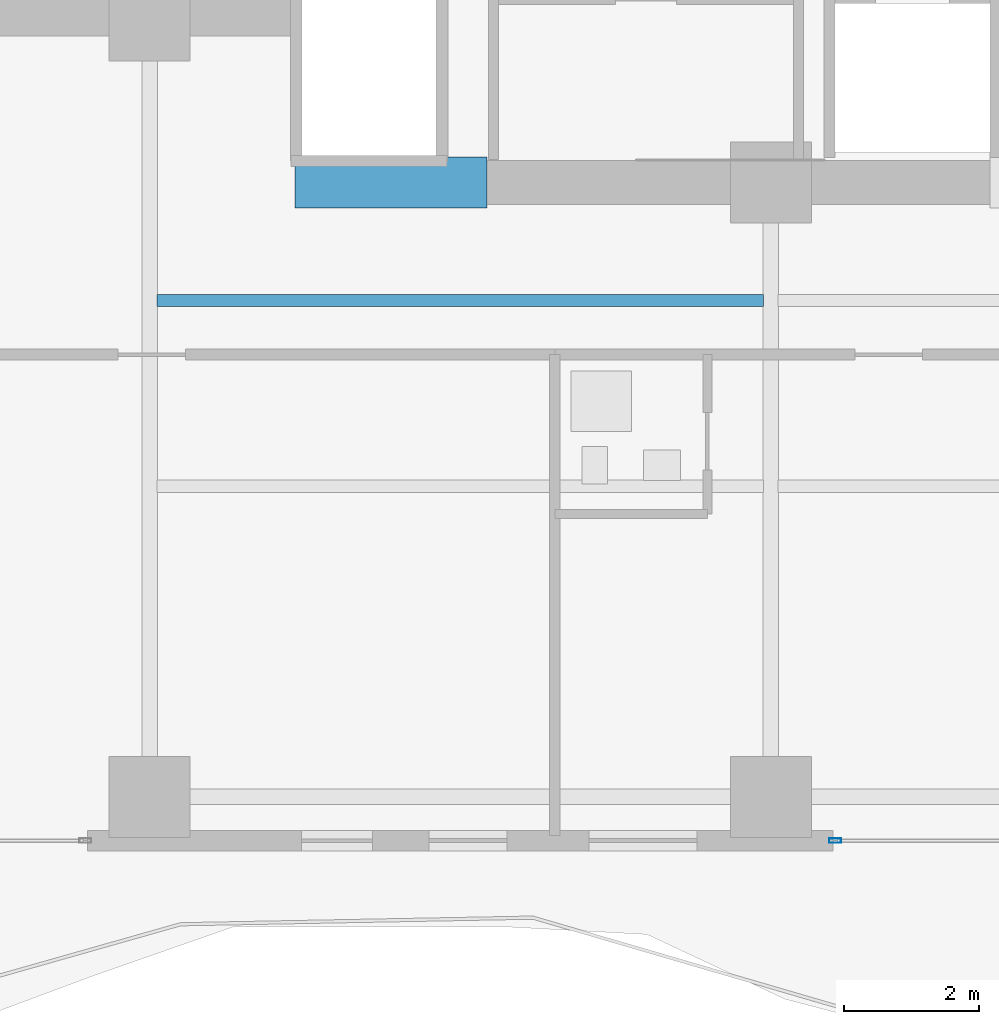
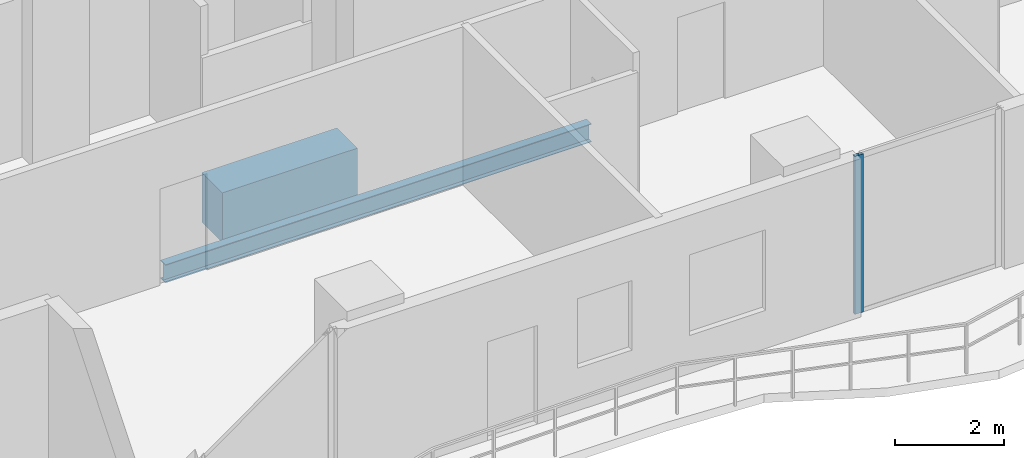
# One storey, part 5 of 32: 2 beams, 1 member, 1 element without a shape of its own.
"""IFC4 building model written with IfcOpenShell, lengths in metres."""

from ifc_helpers import new_model, si_unit, direction, frame, origin, origin_2d, place, context, subcontext, project, spatial, rectangle, hollow_rectangle, i_section, extrude, material, layer, layer_set, material_profile, profile_set, type_object, element, aggregate, save


model = new_model("IFC4")

# Units and contexts
model_context = context("Model", 3, precision=1e-05, world=origin(), true_north=direction((0.0, 1.0)))
body_context = subcontext(model_context, "Body", "Model", "MODEL_VIEW")
ifc_project = project(units=[si_unit("LENGTHUNIT", "METRE"), si_unit("AREAUNIT", "SQUARE_METRE"), si_unit("VOLUMEUNIT", "CUBIC_METRE"), si_unit("PLANEANGLEUNIT", "RADIAN"), si_unit("MASSUNIT", "GRAM", prefix="KILO")], contexts=[model_context])

# Site, building, storey
site_placement = place(None, origin())
site = spatial("IfcSite", under=ifc_project, at=site_placement, CompositionType="ELEMENT")
building_placement = place(site_placement, origin())
building = spatial("IfcBuilding", under=site, at=building_placement, Name="Zuhayl Quay Hotel", CompositionType="ELEMENT")
storey_placement = place(building_placement, frame((0.0, 0.0, 203.64990234375)))
storey = spatial("IfcBuildingStorey", under=building, at=storey_placement, Name="L51", CompositionType="ELEMENT", Elevation=203.64990234375)

# Beams
ifc_material_1 = material(Name="Concrete C60/75", Category="concrete")
ifc_material_profile_1 = material_profile(ifc_material_1, rectangle(XDim=0.75, YDim=1.10009765625, at=origin_2d()), Name="RC750X1100")
ifc_profile_set_1 = profile_set([ifc_material_profile_1], Name="Concrete C60/75")
beam_type_1 = type_object("IfcBeamType", Name="BM_CB2_RC750", PredefinedType="T_BEAM", material=ifc_profile_set_1)
beam_1_placement = place(storey_placement, frame((-11.64990234375, 2.14990234375, -0.77001953125), z_axis=(1.0, 0.0, 0.0), x_axis=(0.0, 1.0, 0.0)))
element("IfcBeam", 1, at=beam_1_placement, inside=storey, type_object=beam_type_1, Name="L51 Core Coupling Beam SW", PredefinedType="T_BEAM", context=body_context, shape_type="SweptSolid", body=[
    extrude(rectangle(XDim=0.75, YDim=1.10009765625, at=origin_2d()), origin(), (0.0, 0.0, 1.0), 2.849853515625),
])
ifc_material_2 = material(Name="Steel ASTM A992 Grade 50", Category="steel")
ifc_material_profile_2 = material_profile(ifc_material_2, i_section(OverallWidth=0.177978515625, OverallDepth=0.406005859375, WebThickness=0.0078125, FlangeThickness=0.0126953125, at=origin_2d()), Name="W16X40")
ifc_profile_set_2 = profile_set([ifc_material_profile_2], Name="Steel ASTM A992 Grade 50")
beam_type_2 = type_object("IfcBeamType", Name="BM_J2B_W16X40", PredefinedType="JOIST", material=ifc_profile_set_2)
beam_2_placement = place(storey_placement, frame((-13.694091796875, 0.39990234375, -0.4228515625), z_axis=(1.0, 0.0, 0.0), x_axis=(0.0, 1.0, 0.0)))
element("IfcBeam", 2, at=beam_2_placement, inside=storey, type_object=beam_type_2, Name="L51 Floor Beam FJ_L51_8_1", PredefinedType="JOIST", context=body_context, shape_type="SweptSolid", body=[
    extrude(i_section(OverallWidth=0.177978515625, OverallDepth=0.406005859375, WebThickness=0.0078125, FlangeThickness=0.0126953125, at=origin_2d()), origin(), (0.0, 0.0, 1.0), 8.988037109375),
])

# Curtain wall, member
ifc_material_3 = material(Name="Anodised Aluminium 6063-T6", Category="aluminium")
ifc_layer = layer(ifc_material_3, 0.175048828125, Name="Anodised Aluminium 6063-T6", Category="aluminium")
ifc_layer_set = layer_set([ifc_layer], Name="Anodised Aluminium 6063-T6")
curtain_wall_type = type_object("IfcCurtainWallType", Name="CW_SYS_Z3", PredefinedType="USERDEFINED", material=ifc_layer_set)
curtain_wall_placement = place(storey_placement, origin())
curtain_wall = element("IfcCurtainWall", 3, at=curtain_wall_placement, inside=storey, type_object=curtain_wall_type, Name="L51 Curtain Wall ENV_L51_S_CW4", ObjectType="UNITISED CURTAIN WALL", PredefinedType="USERDEFINED")
ifc_material_4 = material(Name="Black-anodised aluminium 6063-T6", Category="aluminium")
ifc_material_profile_3 = material_profile(ifc_material_4, hollow_rectangle(XDim=0.06494140625, YDim=0.179931640625, WallThickness=0.00341796875, at=origin_2d()), Name="ALU180X65")
ifc_profile_set_3 = profile_set([ifc_material_profile_3], Name="Black-anodised aluminium 6063-T6")
member_type = type_object("IfcMemberType", Name="MB_CW_MUL_180", PredefinedType="MULLION", material=ifc_profile_set_3)
member_placement = place(storey_placement, frame((-3.6474609375, -7.60009765625, 0.0), z_axis=(0.0, 0.0, 1.0), x_axis=(0.0, -1.0, 0.0)))
member = element("IfcMember", 4, at=member_placement, type_object=member_type, Name="CW-Z3 mullion 2", PredefinedType="MULLION", context=body_context, shape_type="SweptSolid", body=[
    extrude(hollow_rectangle(XDim=0.06494140625, YDim=0.179931640625, WallThickness=0.00341796875, at=origin_2d()), origin(), (0.0, 0.0, 1.0), 3.530029296875),
])
aggregate(curtain_wall, [member])

save(model, "model.ifc")
